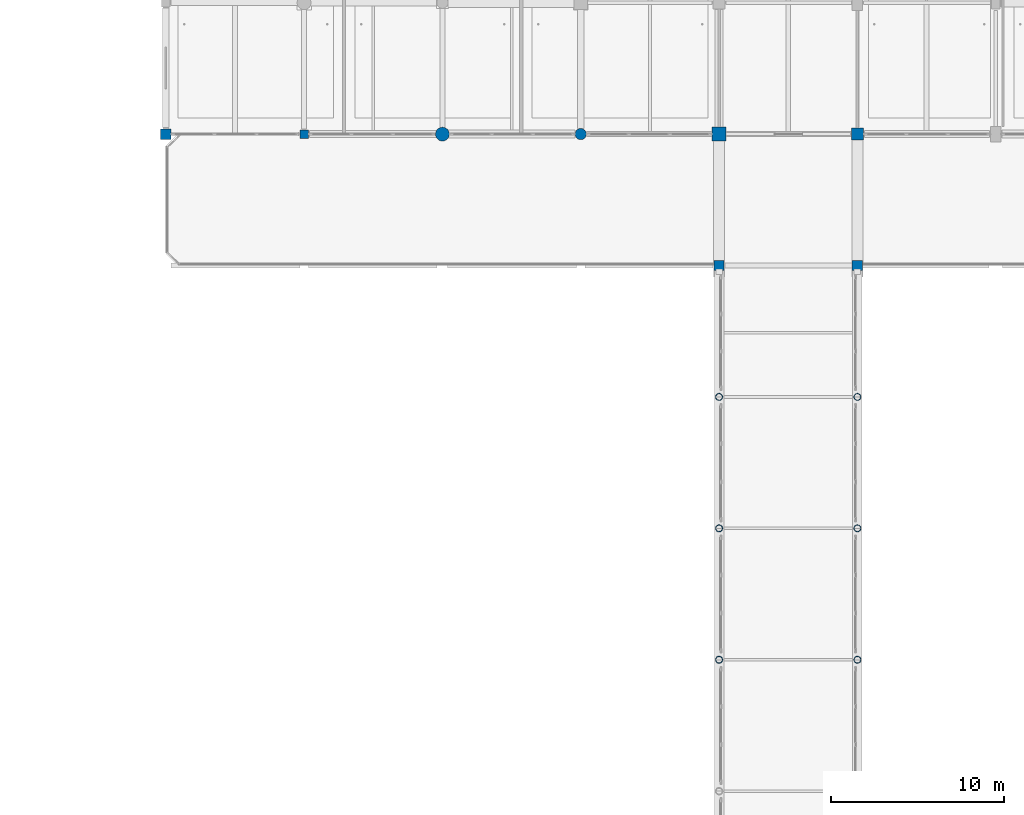
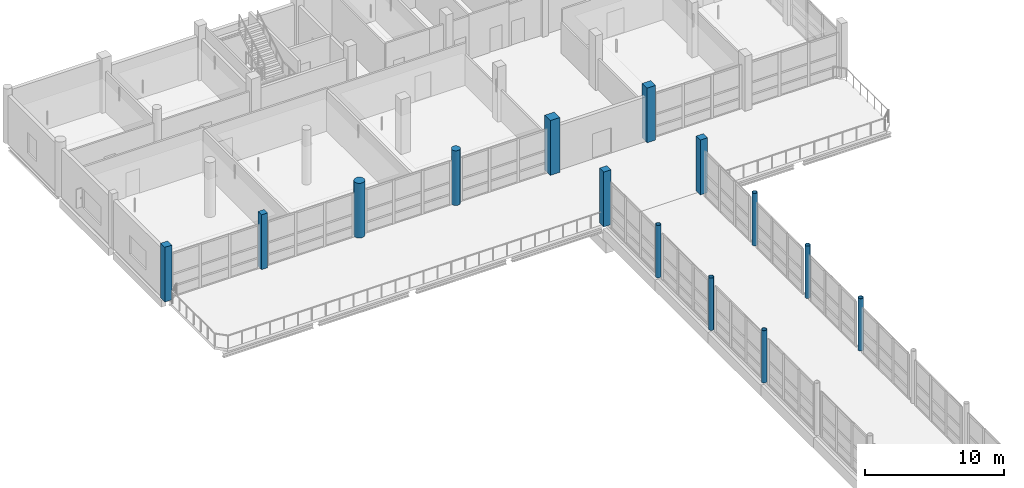
# One storey, part 9 of 141: 14 columns.
"""IFC4 building model written with IfcOpenShell, lengths in metres."""

from ifc_helpers import new_model, si_unit, direction, frame, origin, origin_2d, place, context, subcontext, project, spatial, rectangle, circle, hollow_circle, extrude, material, material_profile, profile_set, type_object, element, save


model = new_model("IFC4")

# Units and contexts
model_context = context("Model", 3, precision=1e-05, world=origin(), true_north=direction((0.0, 1.0)))
body_context = subcontext(model_context, "Body", "Model", "MODEL_VIEW")
ifc_project = project(units=[si_unit("LENGTHUNIT", "METRE"), si_unit("AREAUNIT", "SQUARE_METRE"), si_unit("VOLUMEUNIT", "CUBIC_METRE"), si_unit("PLANEANGLEUNIT", "RADIAN"), si_unit("MASSUNIT", "GRAM", prefix="KILO")], contexts=[model_context])

# Site, building, storey
site_placement = place(None, origin())
site = spatial("IfcSite", under=ifc_project, at=site_placement, CompositionType="ELEMENT")
building_placement = place(site_placement, origin())
building = spatial("IfcBuilding", under=site, at=building_placement, Name="Khelvaren Railside Concert Hall", CompositionType="ELEMENT")
storey_placement = place(building_placement, frame((0.0, 0.0, 10.199951171875)))
storey = spatial("IfcBuildingStorey", under=building, at=storey_placement, Name="L02", CompositionType="ELEMENT", Elevation=10.199951171875)

# Columns
ifc_material_1 = material(Name="Concrete C45/55", Category="concrete")
ifc_material_profile_1 = material_profile(ifc_material_1, rectangle(XDim=0.60009765625, YDim=0.60009765625, at=origin_2d()), Name="RC 600x600")
ifc_profile_set_1 = profile_set([ifc_material_profile_1], Name="Concrete C45/55")
column_type_1 = type_object("IfcColumnType", Name="COL11", PredefinedType="COLUMN", material=ifc_profile_set_1)
for number, where, z_axis, x_axis, name in (
    (1, (128.0, 91.199951171875, 0.0), (0.0, 0.0, 1.0), (1.0, 0.0, 0.0), "V5 L02 Column (128.0,91.2)"),
    (2, (160.0, 83.60009765625, 0.0), (0.0, 0.0, 1.0), (1.0, 0.0, 0.0), "V5 L02 Bridge Portal Column (160,83.6)"),
    (3, (168.0, 83.60009765625, 0.0), (0.0, 0.0, 1.0), (1.0, 0.0, 0.0), "V5 L02 Bridge Portal Column (168,83.6)"),
):
    element("IfcColumn", number, at=place(storey_placement, frame(where, z_axis=z_axis, x_axis=x_axis)), inside=storey, type_object=column_type_1, Name=name, PredefinedType="COLUMN", context=body_context, shape_type="SweptSolid", body=[
        extrude(rectangle(XDim=0.60009765625, YDim=0.60009765625, at=origin_2d()), origin(), (0.0, 0.0, 1.0), 4.800048828125),
    ])
ifc_material_profile_2 = material_profile(ifc_material_1, rectangle(XDim=0.699951171875, YDim=0.699951171875, at=origin_2d()), Name="RC 700x700")
ifc_profile_set_2 = profile_set([ifc_material_profile_2], Name="Concrete C45/55")
column_type_2 = type_object("IfcColumnType", Name="COL16", PredefinedType="COLUMN", material=ifc_profile_set_2)
column_1_placement = place(storey_placement, frame((168.0, 91.199951171875, 0.0), z_axis=(0.0, 0.0, 1.0), x_axis=(1.0, 0.0, 0.0)))
element("IfcColumn", 4, at=column_1_placement, inside=storey, type_object=column_type_2, Name="V5 L02 Column (168.0,91.2)", PredefinedType="COLUMN", context=body_context, shape_type="SweptSolid", body=[
    extrude(rectangle(XDim=0.699951171875, YDim=0.699951171875, at=origin_2d()), origin(), (0.0, 0.0, 1.0), 4.800048828125),
])
ifc_material_profile_3 = material_profile(ifc_material_1, circle(Radius=0.39990234375, at=origin_2d()), Name="RC D800")
ifc_profile_set_3 = profile_set([ifc_material_profile_3], Name="Concrete C45/55")
column_type_3 = type_object("IfcColumnType", Name="COL22", PredefinedType="COLUMN", material=ifc_profile_set_3)
column_2_placement = place(storey_placement, frame((144.0, 91.199951171875, 0.0), z_axis=(0.0, 0.0, 1.0), x_axis=(1.0, 0.0, 0.0)))
element("IfcColumn", 5, at=column_2_placement, inside=storey, type_object=column_type_3, Name="V5 L02 Column (144.0,91.2)", PredefinedType="COLUMN", context=body_context, shape_type="SweptSolid", body=[
    extrude(circle(Radius=0.39990234375, at=origin_2d()), origin(), (0.0, 0.0, 1.0), 4.800048828125),
])
ifc_material_2 = material(Name="Steel S355", Category="steel")
ifc_material_profile_4 = material_profile(ifc_material_2, hollow_circle(Radius=0.203125, WallThickness=0.02001953125, at=origin_2d()), Name="CHS 406.4x20")
ifc_profile_set_4 = profile_set([ifc_material_profile_4], Name="Steel S355")
column_type_4 = type_object("IfcColumnType", Name="COL27", PredefinedType="COLUMN", material=ifc_profile_set_4)
for number, where, z_axis, x_axis, name in (
    (6, (160.0, 60.800048828125, 0.0), (0.0, 0.0, 1.0), (1.0, 0.0, 0.0), "LB4 L02 Bridge Pier (160,60.8)"),
    (7, (160.0, 68.39990234375, 0.0), (0.0, 0.0, 1.0), (1.0, 0.0, 0.0), "LB4 L02 Bridge Pier (160,68.4)"),
    (8, (160.0, 76.0, 0.0), (0.0, 0.0, 1.0), (1.0, 0.0, 0.0), "LB4 L02 Bridge Pier (160,76.0)"),
    (9, (168.0, 60.800048828125, 0.0), (0.0, 0.0, 1.0), (1.0, 0.0, 0.0), "LB4 L02 Bridge Pier (168,60.8)"),
    (10, (168.0, 68.39990234375, 0.0), (0.0, 0.0, 1.0), (1.0, 0.0, 0.0), "LB4 L02 Bridge Pier (168,68.4)"),
    (11, (168.0, 76.0, 0.0), (0.0, 0.0, 1.0), (1.0, 0.0, 0.0), "LB4 L02 Bridge Pier (168,76.0)"),
):
    element("IfcColumn", number, at=place(storey_placement, frame(where, z_axis=z_axis, x_axis=x_axis)), inside=storey, type_object=column_type_4, Name=name, PredefinedType="COLUMN", context=body_context, shape_type="SweptSolid", body=[
        extrude(hollow_circle(Radius=0.203125, WallThickness=0.02001953125, at=origin_2d()), origin(), (0.0, 0.0, 1.0), 4.580078125),
    ])
ifc_material_profile_5 = material_profile(ifc_material_1, rectangle(XDim=0.5, YDim=0.5, at=origin_2d()), Name="RC 500x500")
ifc_profile_set_5 = profile_set([ifc_material_profile_5], Name="Concrete C45/55")
column_type_5 = type_object("IfcColumnType", Name="COL35", PredefinedType="COLUMN", material=ifc_profile_set_5)
column_3_placement = place(storey_placement, frame((136.0, 91.199951171875, 0.0), z_axis=(0.0, 0.0, 1.0), x_axis=(1.0, 0.0, 0.0)))
element("IfcColumn", 12, at=column_3_placement, inside=storey, type_object=column_type_5, Name="V5 L02 Column (136.0,91.2)", PredefinedType="COLUMN", context=body_context, shape_type="SweptSolid", body=[
    extrude(rectangle(XDim=0.5, YDim=0.5, at=origin_2d()), origin(), (0.0, 0.0, 1.0), 4.800048828125),
])
ifc_material_profile_6 = material_profile(ifc_material_1, rectangle(XDim=0.800048828125, YDim=0.800048828125, at=origin_2d()), Name="RC 800x800")
ifc_profile_set_6 = profile_set([ifc_material_profile_6], Name="Concrete C45/55")
column_type_6 = type_object("IfcColumnType", Name="COL38", PredefinedType="COLUMN", material=ifc_profile_set_6)
column_4_placement = place(storey_placement, frame((160.0, 91.199951171875, 0.0), z_axis=(0.0, 0.0, 1.0), x_axis=(1.0, 0.0, 0.0)))
element("IfcColumn", 13, at=column_4_placement, inside=storey, type_object=column_type_6, Name="V5 L02 Column (160.0,91.2)", PredefinedType="COLUMN", context=body_context, shape_type="SweptSolid", body=[
    extrude(rectangle(XDim=0.800048828125, YDim=0.800048828125, at=origin_2d()), origin(), (0.0, 0.0, 1.0), 4.800048828125),
])
ifc_material_profile_7 = material_profile(ifc_material_1, circle(Radius=0.324951171875, at=origin_2d()), Name="RC D650")
ifc_profile_set_7 = profile_set([ifc_material_profile_7], Name="Concrete C45/55")
column_type_7 = type_object("IfcColumnType", Name="COL53", PredefinedType="COLUMN", material=ifc_profile_set_7)
column_5_placement = place(storey_placement, frame((152.0, 91.199951171875, 0.0), z_axis=(0.0, 0.0, 1.0), x_axis=(1.0, 0.0, 0.0)))
element("IfcColumn", 14, at=column_5_placement, inside=storey, type_object=column_type_7, Name="V5 L02 Column (152.0,91.2)", PredefinedType="COLUMN", context=body_context, shape_type="SweptSolid", body=[
    extrude(circle(Radius=0.324951171875, at=origin_2d()), origin(), (0.0, 0.0, 1.0), 4.800048828125),
])

save(model, "model.ifc")
